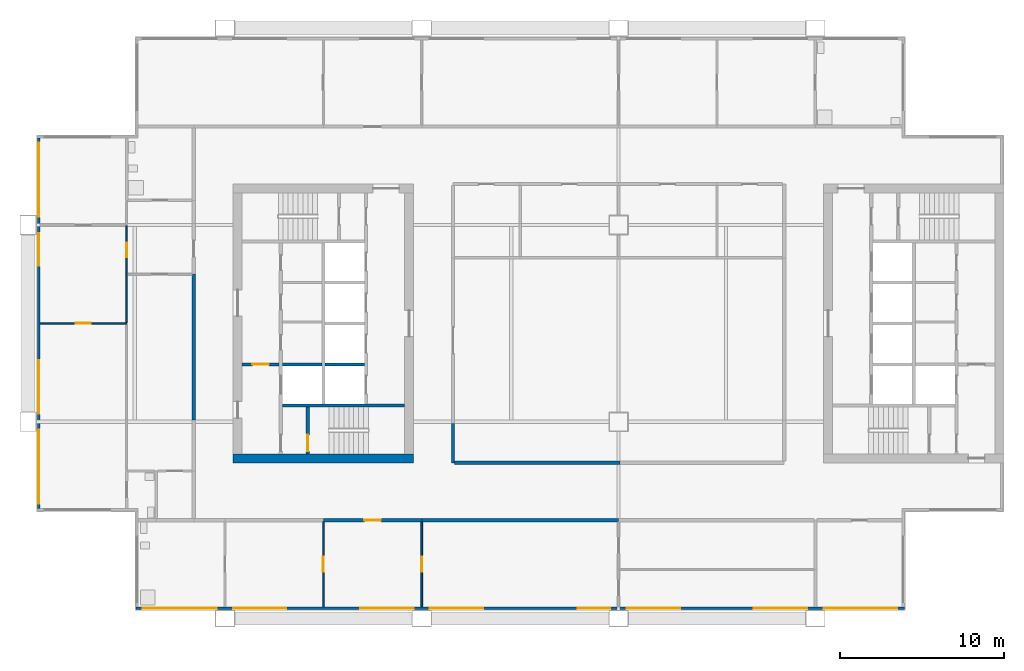
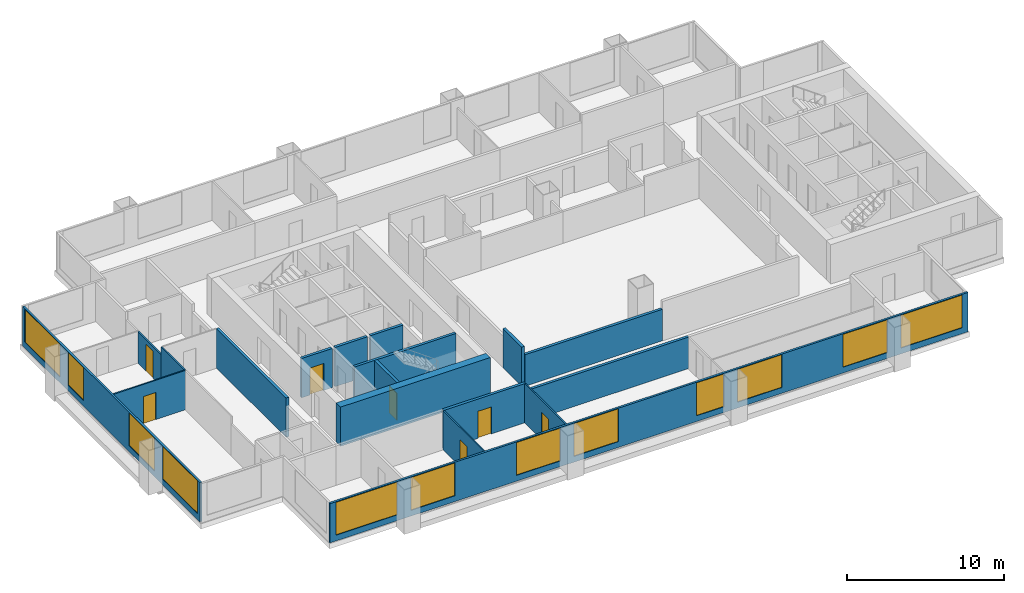
# One storey, part 2 of 8: 18 walls, 12 windows, 7 doors, 19 openings.
"""IFC4 building model written with IfcOpenShell, lengths in metres."""

import ifcopenshell
import ifcopenshell.guid

model = None  # the IFC model being written
_history = None  # IfcOwnerHistory: only IFC2X3 demands one
_inside = {}  # id of a spatial element -> (the spatial element, [elements in it])
_under = {}  # id of a project, library or spatial element -> (it, [spatial elements below it])
_declared = {}  # id of a project -> (the project, [libraries it declares])
_typed = {}  # id of a type object -> (the type object, [elements of that type])
_made_of = {}  # id of a material, layer set ... -> (it, [elements and type objects made of it])


def new_model(schema):
    """Start an empty IFC model of exactly this schema.

    Asked for "IFC4X3", IfcOpenShell would pick the latest addendum, in which some entities
    have other attributes; the version numbers below select the first issue.
    IFC2X3 requires an IfcOwnerHistory on every rooted entity: one is made here for all.
    """
    global model, _history
    if schema == "IFC4X3":
        model = ifcopenshell.file(schema_version=(4, 3, 0, 0))
    else:
        model = ifcopenshell.file(schema=schema)
    _inside.clear()
    _under.clear()
    _declared.clear()
    _typed.clear()
    _made_of.clear()
    _history = None
    if model.schema == "IFC2X3":
        org = make("IfcOrganization", Name="unknown")
        user = make(
            "IfcPersonAndOrganization",
            ThePerson=make("IfcPerson", FamilyName="unknown"),
            TheOrganization=org,
        )
        app = make(
            "IfcApplication",
            ApplicationDeveloper=org,
            Version="unknown",
            ApplicationFullName="unknown",
            ApplicationIdentifier="unknown",
        )
        _history = make(
            "IfcOwnerHistory",
            OwningUser=user,
            OwningApplication=app,
            ChangeAction="ADDED",
            CreationDate=0,
        )
    return model


def make(cls, **values):
    """One entity of the class cls with the attributes given. An attribute that is None is left unset."""
    return model.create_entity(
        cls, **{name: value for name, value in values.items() if value is not None}
    )


def rooted(cls, **values):
    """An entity with a GlobalId (a new one), such as an element, a storey or a relation."""
    return make(cls, GlobalId=ifcopenshell.guid.new(), OwnerHistory=_history, **values)


def si_unit(unit_type, name, prefix=None):
    """IfcSIUnit, for example si_unit("LENGTHUNIT", "METRE", prefix="MILLI")."""
    return make("IfcSIUnit", UnitType=unit_type, Prefix=prefix, Name=name)


def assignment(units):
    """IfcUnitAssignment: the units of a project."""
    return None if units is None else make("IfcUnitAssignment", Units=units)


def point(xyz):
    """IfcCartesianPoint."""
    return None if xyz is None else make("IfcCartesianPoint", Coordinates=xyz)


def direction(xyz):
    """IfcDirection."""
    return None if xyz is None else make("IfcDirection", DirectionRatios=xyz)


def frame(location, z_axis=None, x_axis=None):
    """IfcAxis2Placement3D, a coordinate frame: its origin and axes. An axis left out is left unset."""
    return make(
        "IfcAxis2Placement3D",
        Location=point(location),
        Axis=direction(z_axis),
        RefDirection=direction(x_axis),
    )


def frame_2d(location, x_axis=None):
    """IfcAxis2Placement2D, a coordinate frame in the plane: its origin and x axis."""
    return make(
        "IfcAxis2Placement2D", Location=point(location), RefDirection=direction(x_axis)
    )


def origin():
    """The frame at (0, 0, 0) with its axes left unset."""
    return frame((0.0, 0.0, 0.0))


def place(relative_to, where):
    """IfcLocalPlacement: puts the frame where relative to a parent placement (None: the world)."""
    return make(
        "IfcLocalPlacement", PlacementRelTo=relative_to, RelativePlacement=where
    )


def context(
    kind, dimensions, precision=None, world=None, true_north=None, identifier=None
):
    """IfcGeometricRepresentationContext, for example the 3D "Model" context."""
    return make(
        "IfcGeometricRepresentationContext",
        ContextIdentifier=identifier,
        ContextType=kind,
        CoordinateSpaceDimension=dimensions,
        Precision=precision,
        WorldCoordinateSystem=world,
        TrueNorth=true_north,
    )


def subcontext(parent, identifier, kind, view, scale=None):
    """IfcGeometricRepresentationSubContext, for example "Body" below "Model"."""
    return make(
        "IfcGeometricRepresentationSubContext",
        ContextIdentifier=identifier,
        ContextType=kind,
        ParentContext=parent,
        TargetScale=scale,
        TargetView=view,
    )


def project(units=None, contexts=None):
    """IfcProject with its units and contexts."""
    return rooted(
        "IfcProject",
        Name="project",
        RepresentationContexts=contexts,
        UnitsInContext=assignment(units),
    )


def spatial(cls, under=None, at=None, **own):
    """A site, building, storey or space (cls), placed at a placement, below another one or the project."""
    s = rooted(cls, ObjectPlacement=at, **own)
    if under is not None:
        _under.setdefault(under.id(), (under, []))[1].append(s)
    return s


def profile(cls, at=None, kind="AREA", **sizes):
    """A parametric profile (cls). Its sizes go by their IFC names, for example OverallWidth=200.0."""
    return make(cls, ProfileType=kind, Position=at, **sizes)


def rectangle(**sizes):
    """IfcRectangleProfileDef."""
    return profile("IfcRectangleProfileDef", **sizes)


def extrude(swept, where, along, depth):
    """IfcExtrudedAreaSolid: the profile swept, set in the frame where, extruded along a direction by depth."""
    return make(
        "IfcExtrudedAreaSolid",
        SweptArea=swept,
        Position=where,
        ExtrudedDirection=direction(along),
        Depth=depth,
    )


def shape(context_of_items, identifier, shape_type, items):
    """IfcShapeRepresentation: the items that make up one representation, for example the "Body"."""
    return make(
        "IfcShapeRepresentation",
        ContextOfItems=context_of_items,
        RepresentationIdentifier=identifier,
        RepresentationType=shape_type,
        Items=items,
    )


def material(Name=None, Category=None):
    """IfcMaterial."""
    return make("IfcMaterial", Name=Name, Category=Category)


def layer(
    of_material, thickness, ventilated=None, Name=None, Category=None, Priority=None
):
    """IfcMaterialLayer: one layer of a wall or slab, of a material (None: an air gap)."""
    return make(
        "IfcMaterialLayer",
        Material=of_material,
        LayerThickness=thickness,
        IsVentilated=ventilated,
        Name=Name,
        Category=Category,
        Priority=Priority,
    )


def layer_set(layers, Name=None):
    """IfcMaterialLayerSet."""
    return make("IfcMaterialLayerSet", MaterialLayers=layers, LayerSetName=Name)


def made_of(thing, what):
    """Note that an element or type object is made of a material, layer set ...; save() writes the relation."""
    if what is not None:
        _made_of.setdefault(what.id(), (what, []))[1].append(thing)
    return thing


def type_object(cls, material=None, **own):
    """A type object (cls), such as IfcWallType, which elements share."""
    return made_of(rooted(cls, **own), material)


def element(
    cls,
    number,
    at=None,
    inside=None,
    cuts=None,
    type_object=None,
    material=None,
    context=None,
    identifier="Body",
    shape_type=None,
    held_by="IfcProductDefinitionShape",
    body=None,
    shapes=None,
    **own,
):
    """One element of the class cls, such as IfcWall. Its Tag is "e" and its number.

    at: its placement. inside: the storey or other place that contains it. cuts: it is an
    opening in that element (IfcRelVoidsElement). A single representation is given by context,
    identifier, shape_type and body (its items); several are given by shapes. held_by: the class
    of the entity that holds the representations. save() writes the other relations.
    """
    e = rooted(cls, Tag="e%d" % number, ObjectPlacement=at, **own)
    if body is not None:
        shapes = [shape(context, identifier, shape_type, body)]
    if shapes is not None:
        e.Representation = make(held_by, Representations=shapes)
    if inside is not None:
        _inside.setdefault(inside.id(), (inside, []))[1].append(e)
    if cuts is not None:
        rooted(
            "IfcRelVoidsElement", RelatingBuildingElement=cuts, RelatedOpeningElement=e
        )
    if type_object is not None:
        _typed.setdefault(type_object.id(), (type_object, []))[1].append(e)
    return made_of(e, material)


def fill(opening, filler):
    """IfcRelFillsElement: the door or window that sits in an opening."""
    return rooted(
        "IfcRelFillsElement",
        RelatingOpeningElement=opening,
        RelatedBuildingElement=filler,
    )


def aggregate(whole, parts):
    """IfcRelAggregates: a whole, such as a stair, and the parts it consists of."""
    return rooted("IfcRelAggregates", RelatingObject=whole, RelatedObjects=parts)


def save(model, path):
    """Write the relations noted so far, then the file.

    IfcRelAggregates (storeys below a building ...), IfcRelContainedInSpatialStructure (elements
    in a storey), IfcRelDefinesByType, IfcRelAssociatesMaterial and IfcRelDeclares: one each for
    every whole, place, type object, material and project.
    """
    for whole, parts in _under.values():
        aggregate(whole, parts)
    for where, things in _inside.values():
        rooted(
            "IfcRelContainedInSpatialStructure",
            RelatedElements=things,
            RelatingStructure=where,
        )
    for kind, things in _typed.values():
        rooted("IfcRelDefinesByType", RelatedObjects=things, RelatingType=kind)
    for what, things in _made_of.values():
        rooted("IfcRelAssociatesMaterial", RelatedObjects=things, RelatingMaterial=what)
    for by, libraries in _declared.values():
        rooted("IfcRelDeclares", RelatingContext=by, RelatedDefinitions=libraries)
    model.write(path)


model = new_model("IFC4")

# Units and contexts
model_context = context("Model", 3, precision=1e-05, world=origin(), true_north=direction((0.0, 1.0)))
body_context = subcontext(model_context, "Body", "Model", "MODEL_VIEW")
ifc_project = project(units=[si_unit("LENGTHUNIT", "METRE"), si_unit("AREAUNIT", "SQUARE_METRE"), si_unit("VOLUMEUNIT", "CUBIC_METRE"), si_unit("PLANEANGLEUNIT", "RADIAN"), si_unit("MASSUNIT", "GRAM", prefix="KILO")], contexts=[model_context])

# Site, building, storey
site_placement = place(None, origin())
site = spatial("IfcSite", under=ifc_project, at=site_placement, CompositionType="ELEMENT")
building_placement = place(site_placement, origin())
building = spatial("IfcBuilding", under=site, at=building_placement, Name="Kitamizu Gate Tower and Museum", CompositionType="ELEMENT")
storey_placement = place(building_placement, frame((0.0, 0.0, 199.64990234375)))
storey = spatial("IfcBuildingStorey", under=building, at=storey_placement, Name="L53", CompositionType="ELEMENT", Elevation=199.64990234375)

# Wall
ifc_material_1 = material(Name="Concrete Fc42", Category="concrete")
ifc_layer_1 = layer(ifc_material_1, 0.550048828125)
ifc_layer_set_1 = layer_set([ifc_layer_1], Name="Concrete Fc42")
wall_type_1 = type_object("IfcWallType", Name="Core wall 550", PredefinedType="SHEAR", material=ifc_layer_set_1)
wall_1_placement = place(storey_placement, frame((12.5, 21.77490234375, 0.0), z_axis=(0.0, 0.0, 1.0), x_axis=(1.0, 0.0, 0.0)))
element("IfcWall", 1, at=wall_1_placement, inside=storey, type_object=wall_type_1, Name="Core wall WS", PredefinedType="SHEAR", context=body_context, shape_type="SweptSolid", body=[
    extrude(rectangle(XDim=11.0, YDim=0.550048828125, at=frame_2d((5.5, 0.0))), origin(), (0.0, 0.0, 1.0), 3.050048828125),
])

# Wall, opening, door
ifc_material_2 = material(Name="Gypsum board on galvanised stud")
ifc_layer_2 = layer(ifc_material_2, 0.10009765625)
ifc_layer_set_2 = layer_set([ifc_layer_2], Name="Gypsum board on galvanised stud")
wall_type_2 = type_object("IfcWallType", Name="Partition 100 NOT RATED", PredefinedType="PARTITIONING", material=ifc_layer_set_2)
wall_2_placement = place(storey_placement, frame((18.0, 12.719970703125, 0.0), z_axis=(0.0, 0.0, 1.0), x_axis=(0.0, 1.0, 0.0)))
wall_2 = element("IfcWall", 2, at=wall_2_placement, inside=storey, type_object=wall_type_2, Name="Partition L53-005", PredefinedType="PARTITIONING", context=body_context, shape_type="SweptSolid", body=[
    extrude(rectangle(XDim=5.179931640625, YDim=0.10009765625, at=frame_2d((2.58984375, 0.0))), origin(), (0.0, 0.0, 1.0), 3.050048828125),
])
opening_1_placement = place(wall_2_placement, frame((2.139892578125, 0.0, 0.0)))
opening_1 = element("IfcOpeningElement", 3, at=opening_1_placement, cuts=wall_2, Name="Opening L53-005", PredefinedType="OPENING", context=body_context, shape_type="SweptSolid", body=[
    extrude(rectangle(XDim=0.89990234375, YDim=2.10009765625, at=frame_2d((0.449951171875, 1.050048828125))), frame((0.0, 0.06005859375, 0.0), z_axis=(0.0, -1.0, 0.0), x_axis=(1.0, 0.0, 0.0)), (0.0, 0.0, 1.0), 0.1201171875),
])
ifc_material_3 = material(Name="Timber door set", Category="wood")
door_type_1 = type_object("IfcDoorType", Name="Room door 900", OperationType="NOTDEFINED", PredefinedType="DOOR", material=ifc_material_3)
door_1_placement = place(opening_1_placement, origin())
door_1 = element("IfcDoor", 4, at=door_1_placement, inside=storey, type_object=door_type_1, Name="Door L53-005", OperationType="SINGLE_SWING_RIGHT", OverallHeight=2.10009765625, OverallWidth=0.89990234375, PredefinedType="DOOR", context=body_context, shape_type="SweptSolid", body=[
    extrude(rectangle(XDim=0.89990234375, YDim=2.10009765625, at=frame_2d((0.449951171875, 1.050048828125))), frame((0.0, 0.02490234375, 0.0), z_axis=(0.0, -1.0, 0.0), x_axis=(1.0, 0.0, 0.0)), (0.0, 0.0, 1.0), 0.050048828125),
])
fill(opening_1, door_1)

wall_3_placement = place(storey_placement, frame((24.0, 12.719970703125, 0.0), z_axis=(0.0, 0.0, 1.0), x_axis=(0.0, 1.0, 0.0)))
wall_3 = element("IfcWall", 5, at=wall_3_placement, inside=storey, type_object=wall_type_2, Name="Partition L53-007", PredefinedType="PARTITIONING", context=body_context, shape_type="SweptSolid", body=[
    extrude(rectangle(XDim=5.179931640625, YDim=0.10009765625, at=frame_2d((2.58984375, 0.0))), origin(), (0.0, 0.0, 1.0), 3.050048828125),
])
opening_2_placement = place(wall_3_placement, frame((2.139892578125, 0.0, 0.0)))
opening_2 = element("IfcOpeningElement", 6, at=opening_2_placement, cuts=wall_3, Name="Opening L53-002", PredefinedType="OPENING", context=body_context, shape_type="SweptSolid", body=[
    extrude(rectangle(XDim=0.89990234375, YDim=2.10009765625, at=frame_2d((0.449951171875, 1.050048828125))), frame((0.0, 0.06005859375, 0.0), z_axis=(0.0, -1.0, 0.0), x_axis=(1.0, 0.0, 0.0)), (0.0, 0.0, 1.0), 0.1201171875),
])
door_2_placement = place(opening_2_placement, frame((0.89990234375, 0.0, 0.0), x_axis=(-1.0, 0.0, 0.0)))
door_2 = element("IfcDoor", 7, at=door_2_placement, inside=storey, type_object=door_type_1, Name="Door L53-002", OperationType="SINGLE_SWING_RIGHT", OverallHeight=2.10009765625, OverallWidth=0.89990234375, PredefinedType="DOOR", context=body_context, shape_type="SweptSolid", body=[
    extrude(rectangle(XDim=0.89990234375, YDim=2.10009765625, at=frame_2d((0.449951171875, 1.050048828125))), frame((0.0, 0.02490234375, 0.0), z_axis=(0.0, -1.0, 0.0), x_axis=(1.0, 0.0, 0.0)), (0.0, 0.0, 1.0), 0.050048828125),
])
fill(opening_2, door_2)

wall_4_placement = place(storey_placement, frame((6.0, 30.0, 0.0), z_axis=(0.0, 0.0, 1.0), x_axis=(-1.0, 0.0, 0.0)))
wall_4 = element("IfcWall", 8, at=wall_4_placement, inside=storey, type_object=wall_type_2, Name="Partition L53-029", PredefinedType="PARTITIONING", context=body_context, shape_type="SweptSolid", body=[
    extrude(rectangle(XDim=5.280029296875, YDim=0.10009765625, at=frame_2d((2.64013671875, 0.0))), origin(), (0.0, 0.0, 1.0), 3.050048828125),
])
opening_3_placement = place(wall_4_placement, frame((2.18994140625, 0.0, 0.0)))
opening_3 = element("IfcOpeningElement", 9, at=opening_3_placement, cuts=wall_4, Name="Opening L53-016", PredefinedType="OPENING", context=body_context, shape_type="SweptSolid", body=[
    extrude(rectangle(XDim=0.89990234375, YDim=2.10009765625, at=frame_2d((0.449951171875, 1.050048828125))), frame((0.0, 0.06005859375, 0.0), z_axis=(0.0, -1.0, 0.0), x_axis=(1.0, 0.0, 0.0)), (0.0, 0.0, 1.0), 0.1201171875),
])
door_3_placement = place(opening_3_placement, frame((0.89990234375, 0.0, 0.0), x_axis=(-1.0, 0.0, 0.0)))
door_3 = element("IfcDoor", 10, at=door_3_placement, inside=storey, type_object=door_type_1, Name="Door L53-016", OperationType="SINGLE_SWING_RIGHT", OverallHeight=2.10009765625, OverallWidth=0.89990234375, PredefinedType="DOOR", context=body_context, shape_type="SweptSolid", body=[
    extrude(rectangle(XDim=0.89990234375, YDim=2.10009765625, at=frame_2d((0.449951171875, 1.050048828125))), frame((0.0, 0.02490234375, 0.0), z_axis=(0.0, -1.0, 0.0), x_axis=(1.0, 0.0, 0.0)), (0.0, 0.0, 1.0), 0.050048828125),
])
fill(opening_3, door_3)

# Wall
wall_5_placement = place(storey_placement, frame((6.0, 30.050048828125, 0.0), z_axis=(0.0, 0.0, 1.0), x_axis=(0.0, 1.0, 0.0)))
element("IfcWall", 11, at=wall_5_placement, inside=storey, type_object=wall_type_2, Name="Partition L53-034", PredefinedType="PARTITIONING", context=body_context, shape_type="SweptSolid", body=[
    extrude(rectangle(XDim=2.949951171875, YDim=0.10009765625, at=frame_2d((1.47509765625, 0.0))), origin(), (0.0, 0.0, 1.0), 3.050048828125),
])

# Wall, opening, door
wall_6_placement = place(storey_placement, frame((6.0, 33.0, 0.0), z_axis=(0.0, 0.0, 1.0), x_axis=(0.0, 1.0, 0.0)))
wall_6 = element("IfcWall", 12, at=wall_6_placement, inside=storey, type_object=wall_type_2, Name="Partition L53-035", PredefinedType="PARTITIONING", context=body_context, shape_type="SweptSolid", body=[
    extrude(rectangle(XDim=2.949951171875, YDim=0.10009765625, at=frame_2d((1.47509765625, 0.0))), origin(), (0.0, 0.0, 1.0), 2.4501953125),
])
opening_4_placement = place(wall_6_placement, frame((1.02490234375, 0.0, 0.0)))
opening_4 = element("IfcOpeningElement", 13, at=opening_4_placement, cuts=wall_6, Name="Opening L53-014", PredefinedType="OPENING", context=body_context, shape_type="SweptSolid", body=[
    extrude(rectangle(XDim=0.89990234375, YDim=2.10009765625, at=frame_2d((0.449951171875, 1.050048828125))), frame((0.0, 0.06005859375, 0.0), z_axis=(0.0, -1.0, 0.0), x_axis=(1.0, 0.0, 0.0)), (0.0, 0.0, 1.0), 0.1201171875),
])
door_4_placement = place(opening_4_placement, origin())
door_4 = element("IfcDoor", 14, at=door_4_placement, inside=storey, type_object=door_type_1, Name="Door L53-014", OperationType="SINGLE_SWING_LEFT", OverallHeight=2.10009765625, OverallWidth=0.89990234375, PredefinedType="DOOR", context=body_context, shape_type="SweptSolid", body=[
    extrude(rectangle(XDim=0.89990234375, YDim=2.10009765625, at=frame_2d((0.449951171875, 1.050048828125))), frame((0.0, 0.02490234375, 0.0), z_axis=(0.0, -1.0, 0.0), x_axis=(1.0, 0.0, 0.0)), (0.0, 0.0, 1.0), 0.050048828125),
])
fill(opening_4, door_4)

ifc_material_4 = material(Name="Gypsum board on galvanised stud")
ifc_layer_3 = layer(ifc_material_4, 0.199951171875)
ifc_layer_set_3 = layer_set([ifc_layer_3], Name="Gypsum board on galvanised stud")
wall_type_3 = type_object("IfcWallType", Name="Partition 200", PredefinedType="PARTITIONING", material=ifc_layer_set_3)
wall_7_placement = place(storey_placement, frame((24.0, 18.0, 0.0), z_axis=(0.0, 0.0, 1.0), x_axis=(-1.0, 0.0, 0.0)))
wall_7 = element("IfcWall", 15, at=wall_7_placement, inside=storey, type_object=wall_type_3, Name="Partition L53-008", PredefinedType="PARTITIONING", context=body_context, shape_type="SweptSolid", body=[
    extrude(rectangle(XDim=6.0, YDim=0.199951171875, at=frame_2d((3.0, 0.0))), origin(), (0.0, 0.0, 1.0), 3.050048828125),
])
opening_5_placement = place(wall_7_placement, frame((2.5, 0.0, 0.0)))
opening_5 = element("IfcOpeningElement", 16, at=opening_5_placement, cuts=wall_7, Name="Opening L53-001", PredefinedType="OPENING", context=body_context, shape_type="SweptSolid", body=[
    extrude(rectangle(XDim=1.0, YDim=2.10009765625, at=frame_2d((0.5, 1.050048828125))), frame((0.0, 0.10986328125, 0.0), z_axis=(0.0, -1.0, 0.0), x_axis=(1.0, 0.0, 0.0)), (0.0, 0.0, 1.0), 0.219970703125),
])
ifc_material_5 = material(Name="Timber door set", Category="wood")
door_type_2 = type_object("IfcDoorType", Name="Flat entrance door 1000", OperationType="NOTDEFINED", PredefinedType="DOOR", material=ifc_material_5)
door_5_placement = place(opening_5_placement, origin())
door_5 = element("IfcDoor", 17, at=door_5_placement, inside=storey, type_object=door_type_2, Name="Flat entrance door L53-001", OperationType="SINGLE_SWING_RIGHT", OverallHeight=2.10009765625, OverallWidth=1.0, PredefinedType="DOOR", context=body_context, shape_type="SweptSolid", body=[
    extrude(rectangle(XDim=1.0, YDim=2.10009765625, at=frame_2d((0.5, 1.050048828125))), frame((0.0, 0.02490234375, 0.0), z_axis=(0.0, -1.0, 0.0), x_axis=(1.0, 0.0, 0.0)), (0.0, 0.0, 1.0), 0.050048828125),
])
fill(opening_5, door_5)

# Walls
wall_8_placement = place(storey_placement, frame((36.0, 18.0, 0.0), z_axis=(0.0, 0.0, 1.0), x_axis=(-1.0, 0.0, 0.0)))
element("IfcWall", 18, at=wall_8_placement, inside=storey, type_object=wall_type_3, Name="Partition L53-011", PredefinedType="PARTITIONING", context=body_context, shape_type="SweptSolid", body=[
    extrude(rectangle(XDim=12.0, YDim=0.199951171875, at=frame_2d((6.0, 0.0))), origin(), (0.0, 0.0, 1.0), 2.4501953125),
])
wall_9_placement = place(storey_placement, frame((10.10009765625, 24.10009765625, 0.0), z_axis=(0.0, 0.0, 1.0), x_axis=(0.0, 1.0, 0.0)))
element("IfcWall", 19, at=wall_9_placement, inside=storey, type_object=wall_type_3, Name="Partition L53-044", PredefinedType="PARTITIONING", context=body_context, shape_type="SweptSolid", body=[
    extrude(rectangle(XDim=8.89990234375, YDim=0.199951171875, at=frame_2d((4.449951171875, 0.0))), origin(), (0.0, 0.0, 1.0), 3.050048828125),
])
wall_10_placement = place(storey_placement, frame((25.89990234375, 23.89990234375, 0.0), z_axis=(0.0, 0.0, 1.0), x_axis=(0.0, -1.0, 0.0)))
element("IfcWall", 20, at=wall_10_placement, inside=storey, type_object=wall_type_3, Name="Partition L53-050", PredefinedType="PARTITIONING", context=body_context, shape_type="SweptSolid", body=[
    extrude(rectangle(XDim=2.39990234375, YDim=0.199951171875, at=frame_2d((1.199951171875, 0.0))), origin(), (0.0, 0.0, 1.0), 3.050048828125),
])
wall_11_placement = place(storey_placement, frame((26.0, 21.5, 0.0), z_axis=(0.0, 0.0, 1.0), x_axis=(1.0, 0.0, 0.0)))
element("IfcWall", 21, at=wall_11_placement, inside=storey, type_object=wall_type_3, Name="Partition L53-051", PredefinedType="PARTITIONING", context=body_context, shape_type="SweptSolid", body=[
    extrude(rectangle(XDim=10.10009765625, YDim=0.199951171875, at=frame_2d((5.050048828125, 0.0))), origin(), (0.0, 0.0, 1.0), 2.4501953125),
])
ifc_material_6 = material(Name="Concrete Fc42", Category="concrete")
ifc_layer_4 = layer(ifc_material_6, 0.199951171875)
ifc_layer_set_4 = layer_set([ifc_layer_4], Name="Concrete Fc42")
wall_type_4 = type_object("IfcWallType", Name="Shaft wall 200", PredefinedType="SOLIDWALL", material=ifc_layer_set_4)
wall_12_placement = place(storey_placement, frame((15.5, 25.0, 0.0), z_axis=(0.0, 0.0, 1.0), x_axis=(1.0, 0.0, 0.0)))
element("IfcWall", 22, at=wall_12_placement, inside=storey, type_object=wall_type_4, Name="Shaft wall WSB", PredefinedType="SOLIDWALL", context=body_context, shape_type="SweptSolid", body=[
    extrude(rectangle(XDim=7.449951171875, YDim=0.199951171875, at=frame_2d((3.72509765625, 0.0))), origin(), (0.0, 0.0, 1.0), 3.050048828125),
])

# Wall, opening, door
wall_13_placement = place(storey_placement, frame((13.050048828125, 27.5, 0.0), z_axis=(0.0, 0.0, 1.0), x_axis=(1.0, 0.0, 0.0)))
wall_13 = element("IfcWall", 23, at=wall_13_placement, inside=storey, type_object=wall_type_4, Name="Shaft wall WFFN", PredefinedType="SOLIDWALL", context=body_context, shape_type="SweptSolid", body=[
    extrude(rectangle(XDim=2.25, YDim=0.199951171875, at=frame_2d((1.125, 0.0))), origin(), (0.0, 0.0, 1.0), 3.050048828125),
])
opening_6_placement = place(wall_13_placement, frame((0.625, 0.0, 0.0)))
opening_6 = element("IfcOpeningElement", 24, at=opening_6_placement, cuts=wall_13, Name="Opening L53-031", PredefinedType="OPENING", context=body_context, shape_type="SweptSolid", body=[
    extrude(rectangle(XDim=1.0, YDim=2.10009765625, at=frame_2d((0.5, 1.050048828125))), frame((0.0, 0.10986328125, 0.0), z_axis=(0.0, -1.0, 0.0), x_axis=(1.0, 0.0, 0.0)), (0.0, 0.0, 1.0), 0.219970703125),
])
ifc_material_7 = material(Name="Hollow metal door set")
door_type_3 = type_object("IfcDoorType", Name="Fire door 1000", OperationType="NOTDEFINED", PredefinedType="DOOR", material=ifc_material_7)
door_6_placement = place(opening_6_placement, frame((1.0, 0.0, 0.0), x_axis=(-1.0, 0.0, 0.0)))
door_6 = element("IfcDoor", 25, at=door_6_placement, inside=storey, type_object=door_type_3, Name="Fire-fighting lobby door L53-031", OperationType="SINGLE_SWING_RIGHT", OverallHeight=2.10009765625, OverallWidth=1.0, PredefinedType="DOOR", context=body_context, shape_type="SweptSolid", body=[
    extrude(rectangle(XDim=1.0, YDim=2.10009765625, at=frame_2d((0.5, 1.050048828125))), frame((0.0, 0.02490234375, 0.0), z_axis=(0.0, -1.0, 0.0), x_axis=(1.0, 0.0, 0.0)), (0.0, 0.0, 1.0), 0.050048828125),
])
fill(opening_6, door_6)

wall_14_placement = place(storey_placement, frame((17.050048828125, 22.050048828125, 0.0), z_axis=(0.0, 0.0, 1.0), x_axis=(0.0, 1.0, 0.0)))
wall_14 = element("IfcWall", 26, at=wall_14_placement, inside=storey, type_object=wall_type_4, Name="Shaft wall WSZ", PredefinedType="SOLIDWALL", context=body_context, shape_type="SweptSolid", body=[
    extrude(rectangle(XDim=2.849853515625, YDim=0.199951171875, at=frame_2d((1.4248046875, 0.0))), origin(), (0.0, 0.0, 1.0), 3.050048828125),
])
opening_7_placement = place(wall_14_placement, frame((0.14990234375, 0.0, 0.0)))
opening_7 = element("IfcOpeningElement", 27, at=opening_7_placement, cuts=wall_14, Name="Opening L53-027", PredefinedType="OPENING", context=body_context, shape_type="SweptSolid", body=[
    extrude(rectangle(XDim=1.0, YDim=2.10009765625, at=frame_2d((0.5, 1.050048828125))), frame((0.0, 0.10986328125, 0.0), z_axis=(0.0, -1.0, 0.0), x_axis=(1.0, 0.0, 0.0)), (0.0, 0.0, 1.0), 0.219970703125),
])
door_7_placement = place(opening_7_placement, frame((1.0, 0.0, 0.0), x_axis=(-1.0, 0.0, 0.0)))
door_7 = element("IfcDoor", 28, at=door_7_placement, inside=storey, type_object=door_type_3, Name="Stair door L53-027", OperationType="SINGLE_SWING_LEFT", OverallHeight=2.10009765625, OverallWidth=1.0, PredefinedType="DOOR", context=body_context, shape_type="SweptSolid", body=[
    extrude(rectangle(XDim=1.0, YDim=2.10009765625, at=frame_2d((0.5, 1.050048828125))), frame((0.0, 0.02490234375, 0.0), z_axis=(0.0, -1.0, 0.0), x_axis=(1.0, 0.0, 0.0)), (0.0, 0.0, 1.0), 0.050048828125),
])
fill(opening_7, door_7)

# Walls
for number, where, z_axis, x_axis, name in (
    (29, (15.5, 27.5, 0.0), (0.0, 0.0, 1.0), (1.0, 0.0, 0.0), "Shaft wall WDVW0"),
    (30, (18.10009765625, 27.5, 0.0), (0.0, 0.0, 1.0), (1.0, 0.0, 0.0), "Shaft wall WDVE0"),
):
    element("IfcWall", number, at=place(storey_placement, frame(where, z_axis=z_axis, x_axis=x_axis)), inside=storey, type_object=wall_type_4, Name=name, PredefinedType="SOLIDWALL", context=body_context, shape_type="SweptSolid", body=[
        extrude(rectangle(XDim=2.39990234375, YDim=0.199951171875, at=frame_2d((1.199951171875, 0.0))), origin(), (0.0, 0.0, 1.0), 3.050048828125),
    ])

# Wall, openings, windows
ifc_material_8 = material(Name="Bronze anodised aluminium frame with insulated spandrel and tinted glass", Category="aluminium")
ifc_layer_5 = layer(ifc_material_8, 0.14990234375)
ifc_layer_set_5 = layer_set([ifc_layer_5], Name="Bronze anodised aluminium frame with insulated spandrel and tinted glass")
wall_type_5 = type_object("IfcWallType", Name="WINDOW WALL 150 BRONZE FRAME EI 30", PredefinedType="ELEMENTEDWALL", material=ifc_layer_set_5)
wall_15_placement = place(storey_placement, frame((6.56005859375, 12.635009765625, 0.0), z_axis=(0.0, 0.0, 1.0), x_axis=(1.0, 0.0, 0.0)))
wall_15 = element("IfcWall", 31, at=wall_15_placement, inside=storey, type_object=wall_type_5, Name="Window wall south L53", PredefinedType="ELEMENTEDWALL", context=body_context, shape_type="SweptSolid", body=[
    extrude(rectangle(XDim=46.8798828125, YDim=0.14990234375, at=frame_2d((23.43994140625, 0.0))), origin(), (0.0, 0.0, 1.0), 3.050048828125),
])
opening_8_placement = place(wall_15_placement, frame((0.43994140625, 0.0, 0.449951171875)))
opening_8 = element("IfcOpeningElement", 32, at=opening_8_placement, cuts=wall_15, Name="Opening W15", PredefinedType="OPENING", context=body_context, shape_type="SweptSolid", body=[
    extrude(rectangle(XDim=4.5, YDim=2.550048828125, at=frame_2d((2.25, 1.27490234375))), frame((0.0, 0.0849609375, 0.0), z_axis=(0.0, -1.0, 0.0), x_axis=(1.0, 0.0, 0.0)), (0.0, 0.0, 1.0), 0.169921875),
])
opening_9_placement = place(wall_15_placement, frame((5.93994140625, 0.0, 0.449951171875)))
opening_9 = element("IfcOpeningElement", 33, at=opening_9_placement, cuts=wall_15, Name="Opening W34", PredefinedType="OPENING", context=body_context, shape_type="SweptSolid", body=[
    extrude(rectangle(XDim=3.25, YDim=2.550048828125, at=frame_2d((1.625, 1.27490234375))), frame((0.0, 0.0849609375, 0.0), z_axis=(0.0, -1.0, 0.0), x_axis=(1.0, 0.0, 0.0)), (0.0, 0.0, 1.0), 0.169921875),
])
opening_10_placement = place(wall_15_placement, frame((13.68994140625, 0.0, 0.449951171875)))
opening_10 = element("IfcOpeningElement", 34, at=opening_10_placement, cuts=wall_15, Name="Opening W34", PredefinedType="OPENING", context=body_context, shape_type="SweptSolid", body=[
    extrude(rectangle(XDim=3.25, YDim=2.550048828125, at=frame_2d((1.625, 1.27490234375))), frame((0.0, 0.0849609375, 0.0), z_axis=(0.0, -1.0, 0.0), x_axis=(1.0, 0.0, 0.0)), (0.0, 0.0, 1.0), 0.169921875),
])
opening_11_placement = place(wall_15_placement, frame((17.93994140625, 0.0, 0.449951171875)))
opening_11 = element("IfcOpeningElement", 35, at=opening_11_placement, cuts=wall_15, Name="Opening W34", PredefinedType="OPENING", context=body_context, shape_type="SweptSolid", body=[
    extrude(rectangle(XDim=3.25, YDim=2.550048828125, at=frame_2d((1.625, 1.27490234375))), frame((0.0, 0.0849609375, 0.0), z_axis=(0.0, -1.0, 0.0), x_axis=(1.0, 0.0, 0.0)), (0.0, 0.0, 1.0), 0.169921875),
])
opening_12_placement = place(wall_15_placement, frame((26.93994140625, 0.0, 0.449951171875)))
opening_12 = element("IfcOpeningElement", 36, at=opening_12_placement, cuts=wall_15, Name="Opening W2", PredefinedType="OPENING", context=body_context, shape_type="SweptSolid", body=[
    extrude(rectangle(XDim=2.0, YDim=2.550048828125, at=frame_2d((1.0, 1.27490234375))), frame((0.0, 0.0849609375, 0.0), z_axis=(0.0, -1.0, 0.0), x_axis=(1.0, 0.0, 0.0)), (0.0, 0.0, 1.0), 0.169921875),
])
opening_13_placement = place(wall_15_placement, frame((29.93994140625, 0.0, 0.449951171875)))
opening_13 = element("IfcOpeningElement", 37, at=opening_13_placement, cuts=wall_15, Name="Opening W34", PredefinedType="OPENING", context=body_context, shape_type="SweptSolid", body=[
    extrude(rectangle(XDim=3.25, YDim=2.550048828125, at=frame_2d((1.625, 1.27490234375))), frame((0.0, 0.0849609375, 0.0), z_axis=(0.0, -1.0, 0.0), x_axis=(1.0, 0.0, 0.0)), (0.0, 0.0, 1.0), 0.169921875),
])
opening_14_placement = place(wall_15_placement, frame((37.68994140625, 0.0, 0.449951171875)))
opening_14 = element("IfcOpeningElement", 38, at=opening_14_placement, cuts=wall_15, Name="Opening W34", PredefinedType="OPENING", context=body_context, shape_type="SweptSolid", body=[
    extrude(rectangle(XDim=3.25, YDim=2.550048828125, at=frame_2d((1.625, 1.27490234375))), frame((0.0, 0.0849609375, 0.0), z_axis=(0.0, -1.0, 0.0), x_axis=(1.0, 0.0, 0.0)), (0.0, 0.0, 1.0), 0.169921875),
])
opening_15_placement = place(wall_15_placement, frame((41.93994140625, 0.0, 0.449951171875)))
opening_15 = element("IfcOpeningElement", 39, at=opening_15_placement, cuts=wall_15, Name="Opening W15", PredefinedType="OPENING", context=body_context, shape_type="SweptSolid", body=[
    extrude(rectangle(XDim=4.5, YDim=2.550048828125, at=frame_2d((2.25, 1.27490234375))), frame((0.0, 0.0849609375, 0.0), z_axis=(0.0, -1.0, 0.0), x_axis=(1.0, 0.0, 0.0)), (0.0, 0.0, 1.0), 0.169921875),
])
ifc_material_9 = material(Name="Bronze anodised aluminium frame, tinted triple glazing", Category="aluminium")
window_type_1 = type_object("IfcWindowType", Name="WINDOW 2000 x 2550 SILL 450", PartitioningType="SINGLE_PANEL", PredefinedType="WINDOW", material=ifc_material_9)
window_1_placement = place(opening_12_placement, origin())
window_1 = element("IfcWindow", 40, at=window_1_placement, inside=storey, type_object=window_type_1, Name="Window W2 L53", OverallHeight=2.550048828125, OverallWidth=2.0, PartitioningType="SINGLE_PANEL", PredefinedType="WINDOW", context=body_context, shape_type="SweptSolid", body=[
    extrude(rectangle(XDim=2.0, YDim=2.550048828125, at=frame_2d((1.0, 1.27490234375))), frame((0.0, 0.030029296875, 0.0), z_axis=(0.0, -1.0, 0.0), x_axis=(1.0, 0.0, 0.0)), (0.0, 0.0, 1.0), 0.06005859375),
])
fill(opening_12, window_1)
ifc_material_10 = material(Name="Bronze anodised aluminium frame, tinted triple glazing", Category="aluminium")
window_type_2 = type_object("IfcWindowType", Name="WINDOW 3250 x 2550 SILL 450", PartitioningType="SINGLE_PANEL", PredefinedType="WINDOW", material=ifc_material_10)
window_2_placement = place(opening_9_placement, origin())
window_2 = element("IfcWindow", 41, at=window_2_placement, inside=storey, type_object=window_type_2, Name="Window W34 L53", OverallHeight=2.550048828125, OverallWidth=3.25, PartitioningType="SINGLE_PANEL", PredefinedType="WINDOW", context=body_context, shape_type="SweptSolid", body=[
    extrude(rectangle(XDim=3.25, YDim=2.550048828125, at=frame_2d((1.625, 1.27490234375))), frame((0.0, 0.030029296875, 0.0), z_axis=(0.0, -1.0, 0.0), x_axis=(1.0, 0.0, 0.0)), (0.0, 0.0, 1.0), 0.06005859375),
])
fill(opening_9, window_2)
window_3_placement = place(opening_10_placement, origin())
window_3 = element("IfcWindow", 42, at=window_3_placement, inside=storey, type_object=window_type_2, Name="Window W34 L53", OverallHeight=2.550048828125, OverallWidth=3.25, PartitioningType="SINGLE_PANEL", PredefinedType="WINDOW", context=body_context, shape_type="SweptSolid", body=[
    extrude(rectangle(XDim=3.25, YDim=2.550048828125, at=frame_2d((1.625, 1.27490234375))), frame((0.0, 0.030029296875, 0.0), z_axis=(0.0, -1.0, 0.0), x_axis=(1.0, 0.0, 0.0)), (0.0, 0.0, 1.0), 0.06005859375),
])
fill(opening_10, window_3)
window_4_placement = place(opening_11_placement, origin())
window_4 = element("IfcWindow", 43, at=window_4_placement, inside=storey, type_object=window_type_2, Name="Window W34 L53", OverallHeight=2.550048828125, OverallWidth=3.25, PartitioningType="SINGLE_PANEL", PredefinedType="WINDOW", context=body_context, shape_type="SweptSolid", body=[
    extrude(rectangle(XDim=3.25, YDim=2.550048828125, at=frame_2d((1.625, 1.27490234375))), frame((0.0, 0.030029296875, 0.0), z_axis=(0.0, -1.0, 0.0), x_axis=(1.0, 0.0, 0.0)), (0.0, 0.0, 1.0), 0.06005859375),
])
fill(opening_11, window_4)
window_5_placement = place(opening_13_placement, origin())
window_5 = element("IfcWindow", 44, at=window_5_placement, inside=storey, type_object=window_type_2, Name="Window W34 L53", OverallHeight=2.550048828125, OverallWidth=3.25, PartitioningType="SINGLE_PANEL", PredefinedType="WINDOW", context=body_context, shape_type="SweptSolid", body=[
    extrude(rectangle(XDim=3.25, YDim=2.550048828125, at=frame_2d((1.625, 1.27490234375))), frame((0.0, 0.030029296875, 0.0), z_axis=(0.0, -1.0, 0.0), x_axis=(1.0, 0.0, 0.0)), (0.0, 0.0, 1.0), 0.06005859375),
])
fill(opening_13, window_5)
window_6_placement = place(opening_14_placement, origin())
window_6 = element("IfcWindow", 45, at=window_6_placement, inside=storey, type_object=window_type_2, Name="Window W34 L53", OverallHeight=2.550048828125, OverallWidth=3.25, PartitioningType="SINGLE_PANEL", PredefinedType="WINDOW", context=body_context, shape_type="SweptSolid", body=[
    extrude(rectangle(XDim=3.25, YDim=2.550048828125, at=frame_2d((1.625, 1.27490234375))), frame((0.0, 0.030029296875, 0.0), z_axis=(0.0, -1.0, 0.0), x_axis=(1.0, 0.0, 0.0)), (0.0, 0.0, 1.0), 0.06005859375),
])
fill(opening_14, window_6)
ifc_material_11 = material(Name="Bronze anodised aluminium frame, tinted triple glazing", Category="aluminium")
window_type_3 = type_object("IfcWindowType", Name="WINDOW 4500 x 2550 SILL 450", PartitioningType="SINGLE_PANEL", PredefinedType="WINDOW", material=ifc_material_11)
window_7_placement = place(opening_8_placement, origin())
window_7 = element("IfcWindow", 46, at=window_7_placement, inside=storey, type_object=window_type_3, Name="Window W15 L53", OverallHeight=2.550048828125, OverallWidth=4.5, PartitioningType="SINGLE_PANEL", PredefinedType="WINDOW", context=body_context, shape_type="SweptSolid", body=[
    extrude(rectangle(XDim=4.5, YDim=2.550048828125, at=frame_2d((2.25, 1.27490234375))), frame((0.0, 0.030029296875, 0.0), z_axis=(0.0, -1.0, 0.0), x_axis=(1.0, 0.0, 0.0)), (0.0, 0.0, 1.0), 0.06005859375),
])
fill(opening_8, window_7)
window_8_placement = place(opening_15_placement, origin())
window_8 = element("IfcWindow", 47, at=window_8_placement, inside=storey, type_object=window_type_3, Name="Window W15 L53", OverallHeight=2.550048828125, OverallWidth=4.5, PartitioningType="SINGLE_PANEL", PredefinedType="WINDOW", context=body_context, shape_type="SweptSolid", body=[
    extrude(rectangle(XDim=4.5, YDim=2.550048828125, at=frame_2d((2.25, 1.27490234375))), frame((0.0, 0.030029296875, 0.0), z_axis=(0.0, -1.0, 0.0), x_axis=(1.0, 0.0, 0.0)), (0.0, 0.0, 1.0), 0.06005859375),
])
fill(opening_15, window_8)

wall_16_placement = place(storey_placement, frame((0.635009765625, 18.7099609375, 0.0), z_axis=(0.0, 0.0, 1.0), x_axis=(0.0, 1.0, 0.0)))
wall_16 = element("IfcWall", 48, at=wall_16_placement, inside=storey, type_object=wall_type_5, Name="Window wall west L53", PredefinedType="ELEMENTEDWALL", context=body_context, shape_type="SweptSolid", body=[
    extrude(rectangle(XDim=22.580078125, YDim=0.14990234375, at=frame_2d((11.2900390625, 0.0))), origin(), (0.0, 0.0, 1.0), 3.050048828125),
])
opening_16_placement = place(wall_16_placement, frame((0.2900390625, 0.0, 0.449951171875)))
opening_16 = element("IfcOpeningElement", 49, at=opening_16_placement, cuts=wall_16, Name="Opening W15", PredefinedType="OPENING", context=body_context, shape_type="SweptSolid", body=[
    extrude(rectangle(XDim=4.5, YDim=2.550048828125, at=frame_2d((2.25, 1.27490234375))), frame((0.0, 0.0849609375, 0.0), z_axis=(0.0, -1.0, 0.0), x_axis=(1.0, 0.0, 0.0)), (0.0, 0.0, 1.0), 0.169921875),
])
opening_17_placement = place(wall_16_placement, frame((5.7900390625, 0.0, 0.449951171875)))
opening_17 = element("IfcOpeningElement", 50, at=opening_17_placement, cuts=wall_16, Name="Opening W34", PredefinedType="OPENING", context=body_context, shape_type="SweptSolid", body=[
    extrude(rectangle(XDim=3.25, YDim=2.550048828125, at=frame_2d((1.625, 1.27490234375))), frame((0.0, 0.0849609375, 0.0), z_axis=(0.0, -1.0, 0.0), x_axis=(1.0, 0.0, 0.0)), (0.0, 0.0, 1.0), 0.169921875),
])
opening_18_placement = place(wall_16_placement, frame((14.7900390625, 0.0, 0.449951171875)))
opening_18 = element("IfcOpeningElement", 51, at=opening_18_placement, cuts=wall_16, Name="Opening W2", PredefinedType="OPENING", context=body_context, shape_type="SweptSolid", body=[
    extrude(rectangle(XDim=2.0, YDim=2.550048828125, at=frame_2d((1.0, 1.27490234375))), frame((0.0, 0.0849609375, 0.0), z_axis=(0.0, -1.0, 0.0), x_axis=(1.0, 0.0, 0.0)), (0.0, 0.0, 1.0), 0.169921875),
])
opening_19_placement = place(wall_16_placement, frame((17.7900390625, 0.0, 0.449951171875)))
opening_19 = element("IfcOpeningElement", 52, at=opening_19_placement, cuts=wall_16, Name="Opening W15", PredefinedType="OPENING", context=body_context, shape_type="SweptSolid", body=[
    extrude(rectangle(XDim=4.5, YDim=2.550048828125, at=frame_2d((2.25, 1.27490234375))), frame((0.0, 0.0849609375, 0.0), z_axis=(0.0, -1.0, 0.0), x_axis=(1.0, 0.0, 0.0)), (0.0, 0.0, 1.0), 0.169921875),
])
window_9_placement = place(opening_18_placement, origin())
window_9 = element("IfcWindow", 53, at=window_9_placement, inside=storey, type_object=window_type_1, Name="Window W2 L53", OverallHeight=2.550048828125, OverallWidth=2.0, PartitioningType="SINGLE_PANEL", PredefinedType="WINDOW", context=body_context, shape_type="SweptSolid", body=[
    extrude(rectangle(XDim=2.0, YDim=2.550048828125, at=frame_2d((1.0, 1.27490234375))), frame((0.0, 0.030029296875, 0.0), z_axis=(0.0, -1.0, 0.0), x_axis=(1.0, 0.0, 0.0)), (0.0, 0.0, 1.0), 0.06005859375),
])
fill(opening_18, window_9)
window_10_placement = place(opening_17_placement, origin())
window_10 = element("IfcWindow", 54, at=window_10_placement, inside=storey, type_object=window_type_2, Name="Window W34 L53", OverallHeight=2.550048828125, OverallWidth=3.25, PartitioningType="SINGLE_PANEL", PredefinedType="WINDOW", context=body_context, shape_type="SweptSolid", body=[
    extrude(rectangle(XDim=3.25, YDim=2.550048828125, at=frame_2d((1.625, 1.27490234375))), frame((0.0, 0.030029296875, 0.0), z_axis=(0.0, -1.0, 0.0), x_axis=(1.0, 0.0, 0.0)), (0.0, 0.0, 1.0), 0.06005859375),
])
fill(opening_17, window_10)
window_11_placement = place(opening_16_placement, origin())
window_11 = element("IfcWindow", 55, at=window_11_placement, inside=storey, type_object=window_type_3, Name="Window W15 L53", OverallHeight=2.550048828125, OverallWidth=4.5, PartitioningType="SINGLE_PANEL", PredefinedType="WINDOW", context=body_context, shape_type="SweptSolid", body=[
    extrude(rectangle(XDim=4.5, YDim=2.550048828125, at=frame_2d((2.25, 1.27490234375))), frame((0.0, 0.030029296875, 0.0), z_axis=(0.0, -1.0, 0.0), x_axis=(1.0, 0.0, 0.0)), (0.0, 0.0, 1.0), 0.06005859375),
])
fill(opening_16, window_11)
window_12_placement = place(opening_19_placement, origin())
window_12 = element("IfcWindow", 56, at=window_12_placement, inside=storey, type_object=window_type_3, Name="Window W15 L53", OverallHeight=2.550048828125, OverallWidth=4.5, PartitioningType="SINGLE_PANEL", PredefinedType="WINDOW", context=body_context, shape_type="SweptSolid", body=[
    extrude(rectangle(XDim=4.5, YDim=2.550048828125, at=frame_2d((2.25, 1.27490234375))), frame((0.0, 0.030029296875, 0.0), z_axis=(0.0, -1.0, 0.0), x_axis=(1.0, 0.0, 0.0)), (0.0, 0.0, 1.0), 0.06005859375),
])
fill(opening_19, window_12)

save(model, "model.ifc")
